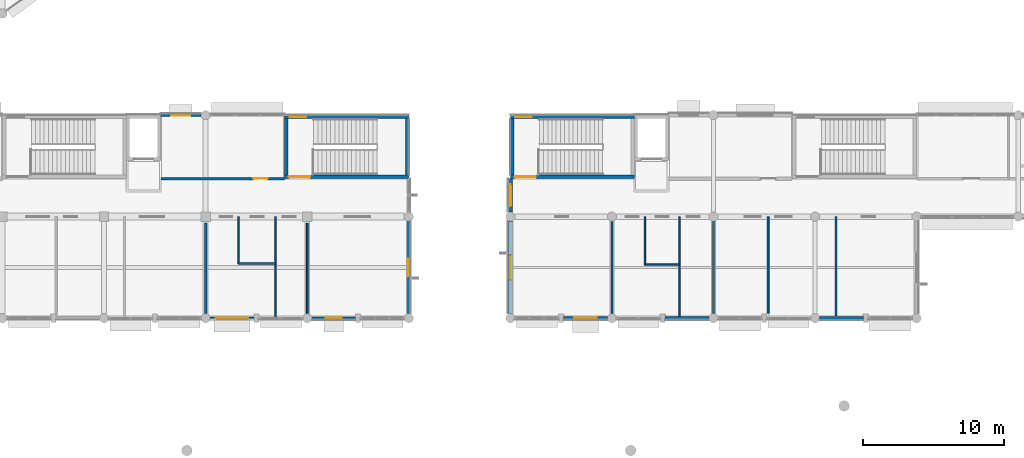
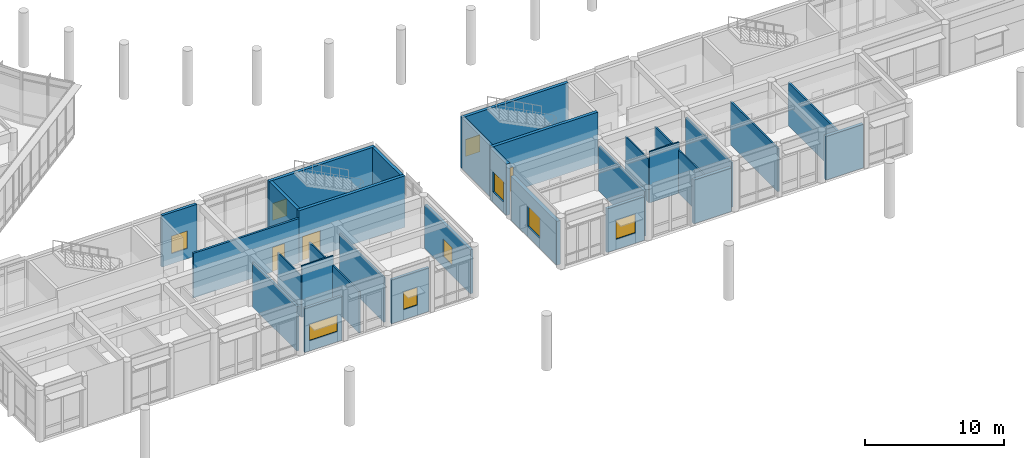
# One storey, part 47 of 92: 29 walls, 9 windows, 3 doors, 12 openings.
"""IFC4 building model written with IfcOpenShell, lengths in metres."""

from ifc_helpers import new_model, si_unit, direction, frame, frame_2d, origin, place, context, subcontext, project, spatial, rectangle, extrude, material, layer, layer_set, type_object, element, fill, save


model = new_model("IFC4")

# Units and contexts
model_context = context("Model", 3, precision=1e-05, world=origin(), true_north=direction((0.0, 1.0)))
body_context = subcontext(model_context, "Body", "Model", "MODEL_VIEW")
ifc_project = project(units=[si_unit("LENGTHUNIT", "METRE"), si_unit("AREAUNIT", "SQUARE_METRE"), si_unit("VOLUMEUNIT", "CUBIC_METRE"), si_unit("PLANEANGLEUNIT", "RADIAN"), si_unit("MASSUNIT", "GRAM", prefix="KILO")], contexts=[model_context])

# Site, building, storey
site_placement = place(None, origin())
site = spatial("IfcSite", under=ifc_project, at=site_placement, CompositionType="ELEMENT")
building_placement = place(site_placement, origin())
building = spatial("IfcBuilding", under=site, at=building_placement, Name="Namkhue Oval Health Centre", CompositionType="ELEMENT")
storey_placement = place(building_placement, frame((0.0, 0.0, 4.800048828125)))
storey = spatial("IfcBuildingStorey", under=building, at=storey_placement, Name="L01", CompositionType="ELEMENT", Elevation=4.800048828125)

# Wall, opening, window
ifc_material_1 = material(Name="Autoclaved aerated concrete blockwork M7.5", Category="masonry")
ifc_layer_1 = layer(ifc_material_1, 0.18994140625)
ifc_layer_set_1 = layer_set([ifc_layer_1], Name="Autoclaved aerated concrete blockwork M7.5")
wall_type_1 = type_object("IfcWallType", Name="EXTERIOR ENVELOPE WALL 190", PredefinedType="STANDARD", material=ifc_layer_set_1)
wall_1_placement = place(storey_placement, frame((72.320068359375, 14.39990234375, 0.0), z_axis=(0.0, 0.0, 1.0), x_axis=(1.0, 0.0, 0.0)))
wall_1 = element("IfcWall", 1, at=wall_1_placement, inside=storey, type_object=wall_type_1, Name="Volume V4 L01 Exterior Envelope Wall 98", PredefinedType="STANDARD", context=body_context, shape_type="SweptSolid", body=[
    extrude(rectangle(XDim=3.10888671875, YDim=0.18994140625, at=frame_2d((1.554443359375, 0.0))), origin(), (0.0, 0.0, 1.0), 3.85498046875),
])
opening_1_placement = place(wall_1_placement, frame((0.404541015625, 0.0, 0.89990234375)))
opening_1 = element("IfcOpeningElement", 2, at=opening_1_placement, cuts=wall_1, Name="Opening WN-20", PredefinedType="OPENING", context=body_context, shape_type="SweptSolid", body=[
    extrude(rectangle(XDim=2.300048828125, YDim=1.419921875, at=frame_2d((1.14990234375, 0.7099609375))), frame((0.0, 0.10498046875, 0.0), z_axis=(0.0, -1.0, 0.0), x_axis=(1.0, 0.0, 0.0)), (0.0, 0.0, 1.0), 0.2099609375),
])
ifc_material_2 = material(Name="Thermally broken low-E laminated double glazing", Category="glass")
window_type_1 = type_object("IfcWindowType", Name="EXTERIOR WINDOW 2300X1420", PartitioningType="SINGLE_PANEL", PredefinedType="WINDOW", material=ifc_material_2)
window_1_placement = place(opening_1_placement, origin())
window_1 = element("IfcWindow", 3, at=window_1_placement, inside=storey, type_object=window_type_1, Name="Volume V4 L01 Exterior Window 65", OverallHeight=1.419921875, OverallWidth=2.300048828125, PartitioningType="SINGLE_PANEL", PredefinedType="WINDOW", context=body_context, shape_type="SweptSolid", body=[
    extrude(rectangle(XDim=2.300048828125, YDim=1.419921875, at=frame_2d((1.14990234375, 0.7099609375))), frame((0.0, 0.030029296875, 0.0), z_axis=(0.0, -1.0, 0.0), x_axis=(1.0, 0.0, 0.0)), (0.0, 0.0, 1.0), 0.06005859375),
])
fill(opening_1, window_1)

ifc_layer_2 = layer(ifc_material_1, 0.199951171875)
ifc_layer_set_2 = layer_set([ifc_layer_2], Name="Autoclaved aerated concrete blockwork M7.5")
wall_type_2 = type_object("IfcWallType", Name="EXTERIOR ENVELOPE WALL 200", PredefinedType="STANDARD", material=ifc_layer_set_2)
wall_2_placement = place(storey_placement, frame((79.52001953125, 14.39990234375, 0.0), z_axis=(0.0, 0.0, 1.0), x_axis=(1.0, 0.0, 0.0)))
wall_2 = element("IfcWall", 4, at=wall_2_placement, inside=storey, type_object=wall_type_2, Name="Volume V4 L01 Exterior Envelope Wall 99", PredefinedType="STANDARD", context=body_context, shape_type="SweptSolid", body=[
    extrude(rectangle(XDim=3.10888671875, YDim=0.199951171875, at=frame_2d((1.554443359375, 0.0))), origin(), (0.0, 0.0, 1.0), 3.85498046875),
])
opening_2_placement = place(wall_2_placement, frame((0.9794921875, 0.0, 0.89990234375)))
opening_2 = element("IfcOpeningElement", 5, at=opening_2_placement, cuts=wall_2, Name="Opening WN-21", PredefinedType="OPENING", context=body_context, shape_type="SweptSolid", body=[
    extrude(rectangle(XDim=1.14990234375, YDim=1.5400390625, at=frame_2d((0.574951171875, 0.77001953125))), frame((0.0, 0.10986328125, 0.0), z_axis=(0.0, -1.0, 0.0), x_axis=(1.0, 0.0, 0.0)), (0.0, 0.0, 1.0), 0.219970703125),
])
window_type_2 = type_object("IfcWindowType", Name="EXTERIOR WINDOW 1150X1540", PartitioningType="SINGLE_PANEL", PredefinedType="WINDOW", material=ifc_material_2)
window_2_placement = place(opening_2_placement, origin())
window_2 = element("IfcWindow", 6, at=window_2_placement, inside=storey, type_object=window_type_2, Name="Volume V4 L01 Exterior Window 66", OverallHeight=1.5400390625, OverallWidth=1.14990234375, PartitioningType="SINGLE_PANEL", PredefinedType="WINDOW", context=body_context, shape_type="SweptSolid", body=[
    extrude(rectangle(XDim=1.14990234375, YDim=1.5400390625, at=frame_2d((0.574951171875, 0.77001953125))), frame((0.0, 0.030029296875, 0.0), z_axis=(0.0, -1.0, 0.0), x_axis=(1.0, 0.0, 0.0)), (0.0, 0.0, 1.0), 0.06005859375),
])
fill(opening_2, window_2)

ifc_layer_3 = layer(ifc_material_1, 0.2099609375)
ifc_layer_set_3 = layer_set([ifc_layer_3], Name="Autoclaved aerated concrete blockwork M7.5")
wall_type_3 = type_object("IfcWallType", Name="EXTERIOR ENVELOPE WALL 210", PredefinedType="STANDARD", material=ifc_layer_set_3)
wall_3_placement = place(storey_placement, frame((86.39990234375, 14.719970703125, 0.0), z_axis=(0.0, 0.0, 1.0), x_axis=(0.0, 1.0, 0.0)))
wall_3 = element("IfcWall", 7, at=wall_3_placement, inside=storey, type_object=wall_type_3, Name="Volume V4 L01 Exterior Envelope Wall 100", PredefinedType="STANDARD", context=body_context, shape_type="SweptSolid", body=[
    extrude(rectangle(XDim=6.56005859375, YDim=0.2099609375, at=frame_2d((3.280029296875, 0.0))), origin(), (0.0, 0.0, 1.0), 3.85498046875),
])
opening_3_placement = place(wall_3_placement, frame((2.655029296875, 0.0, 0.89990234375)))
opening_3 = element("IfcOpeningElement", 8, at=opening_3_placement, cuts=wall_3, Name="Opening WN-22", PredefinedType="OPENING", context=body_context, shape_type="SweptSolid", body=[
    extrude(rectangle(XDim=1.25, YDim=1.5400390625, at=frame_2d((0.625, 0.77001953125))), frame((0.0, 0.114990234375, 0.0), z_axis=(0.0, -1.0, 0.0), x_axis=(1.0, 0.0, 0.0)), (0.0, 0.0, 1.0), 0.22998046875),
])
window_type_3 = type_object("IfcWindowType", Name="EXTERIOR WINDOW 1250X1540", PartitioningType="SINGLE_PANEL", PredefinedType="WINDOW", material=ifc_material_2)
window_3_placement = place(opening_3_placement, origin())
window_3 = element("IfcWindow", 9, at=window_3_placement, inside=storey, type_object=window_type_3, Name="Volume V4 L01 Exterior Window 67", OverallHeight=1.5400390625, OverallWidth=1.25, PartitioningType="SINGLE_PANEL", PredefinedType="WINDOW", context=body_context, shape_type="SweptSolid", body=[
    extrude(rectangle(XDim=1.25, YDim=1.5400390625, at=frame_2d((0.625, 0.77001953125))), frame((0.0, 0.030029296875, 0.0), z_axis=(0.0, -1.0, 0.0), x_axis=(1.0, 0.0, 0.0)), (0.0, 0.0, 1.0), 0.06005859375),
])
fill(opening_3, window_3)

ifc_layer_4 = layer(ifc_material_1, 0.219970703125)
ifc_layer_set_4 = layer_set([ifc_layer_4], Name="Autoclaved aerated concrete blockwork M7.5")
wall_type_4 = type_object("IfcWallType", Name="EXTERIOR ENVELOPE WALL 220", PredefinedType="STANDARD", material=ifc_layer_set_4)
wall_4_placement = place(storey_placement, frame((71.679931640625, 28.800048828125, 0.0), z_axis=(0.0, 0.0, 1.0), x_axis=(-1.0, 0.0, 0.0)))
wall_4 = element("IfcWall", 10, at=wall_4_placement, inside=storey, type_object=wall_type_4, Name="Volume V4 L01 Exterior Envelope Wall 101", PredefinedType="STANDARD", context=body_context, shape_type="SweptSolid", body=[
    extrude(rectangle(XDim=2.8779296875, YDim=0.219970703125, at=frame_2d((1.43896484375, 0.0))), origin(), (0.0, 0.0, 1.0), 4.5048828125),
])
opening_4_placement = place(wall_4_placement, frame((0.763916015625, 0.0, 0.89990234375)))
opening_4 = element("IfcOpeningElement", 11, at=opening_4_placement, cuts=wall_4, Name="Opening WN-23", PredefinedType="OPENING", context=body_context, shape_type="SweptSolid", body=[
    extrude(rectangle(XDim=1.35009765625, YDim=1.5400390625, at=frame_2d((0.675048828125, 0.77001953125))), frame((0.0, 0.119873046875, 0.0), z_axis=(0.0, -1.0, 0.0), x_axis=(1.0, 0.0, 0.0)), (0.0, 0.0, 1.0), 0.239990234375),
])
window_type_4 = type_object("IfcWindowType", Name="EXTERIOR WINDOW 1350X1540", PartitioningType="SINGLE_PANEL", PredefinedType="WINDOW", material=ifc_material_2)
window_4_placement = place(opening_4_placement, origin())
window_4 = element("IfcWindow", 12, at=window_4_placement, inside=storey, type_object=window_type_4, Name="Volume V4 L01 Exterior Window 68", OverallHeight=1.5400390625, OverallWidth=1.35009765625, PartitioningType="SINGLE_PANEL", PredefinedType="WINDOW", context=body_context, shape_type="SweptSolid", body=[
    extrude(rectangle(XDim=1.35009765625, YDim=1.5400390625, at=frame_2d((0.675048828125, 0.77001953125))), frame((0.0, 0.030029296875, 0.0), z_axis=(0.0, -1.0, 0.0), x_axis=(1.0, 0.0, 0.0)), (0.0, 0.0, 1.0), 0.06005859375),
])
fill(opening_4, window_4)

ifc_layer_5 = layer(ifc_material_1, 0.22998046875)
ifc_layer_set_5 = layer_set([ifc_layer_5], Name="Autoclaved aerated concrete blockwork M7.5")
wall_type_5 = type_object("IfcWallType", Name="EXTERIOR ENVELOPE WALL 230", PredefinedType="STANDARD", material=ifc_layer_set_5)
wall_5_placement = place(storey_placement, frame((97.37109375, 14.39990234375, 0.0), z_axis=(0.0, 0.0, 1.0), x_axis=(1.0, 0.0, 0.0)))
wall_5 = element("IfcWall", 13, at=wall_5_placement, inside=storey, type_object=wall_type_5, Name="Volume V5 L01 Exterior Envelope Wall 118", PredefinedType="STANDARD", context=body_context, shape_type="SweptSolid", body=[
    extrude(rectangle(XDim=3.10888671875, YDim=0.22998046875, at=frame_2d((1.554443359375, 0.0))), origin(), (0.0, 0.0, 1.0), 3.83984375),
])
opening_5_placement = place(wall_5_placement, frame((0.75439453125, 0.0, 0.89990234375)))
opening_5 = element("IfcOpeningElement", 14, at=opening_5_placement, cuts=wall_5, Name="Opening WN-35", PredefinedType="OPENING", context=body_context, shape_type="SweptSolid", body=[
    extrude(rectangle(XDim=1.60009765625, YDim=1.659912109375, at=frame_2d((0.800048828125, 0.830078125))), frame((0.0, 0.125, 0.0), z_axis=(0.0, -1.0, 0.0), x_axis=(1.0, 0.0, 0.0)), (0.0, 0.0, 1.0), 0.25),
])
window_type_5 = type_object("IfcWindowType", Name="EXTERIOR WINDOW 1600X1660", PartitioningType="SINGLE_PANEL", PredefinedType="WINDOW", material=ifc_material_2)
window_5_placement = place(opening_5_placement, origin())
window_5 = element("IfcWindow", 15, at=window_5_placement, inside=storey, type_object=window_type_5, Name="Volume V5 L01 Exterior Window 80", OverallHeight=1.659912109375, OverallWidth=1.60009765625, PartitioningType="SINGLE_PANEL", PredefinedType="WINDOW", context=body_context, shape_type="SweptSolid", body=[
    extrude(rectangle(XDim=1.60009765625, YDim=1.659912109375, at=frame_2d((0.800048828125, 0.830078125))), frame((0.0, 0.030029296875, 0.0), z_axis=(0.0, -1.0, 0.0), x_axis=(1.0, 0.0, 0.0)), (0.0, 0.0, 1.0), 0.06005859375),
])
fill(opening_5, window_5)

# Walls
ifc_layer_6 = layer(ifc_material_1, 0.239990234375)
ifc_layer_set_6 = layer_set([ifc_layer_6], Name="Autoclaved aerated concrete blockwork M7.5")
wall_type_6 = type_object("IfcWallType", Name="EXTERIOR ENVELOPE WALL 240", PredefinedType="STANDARD", material=ifc_layer_set_6)
wall_6_placement = place(storey_placement, frame((104.571044921875, 14.39990234375, 0.0), z_axis=(0.0, 0.0, 1.0), x_axis=(1.0, 0.0, 0.0)))
element("IfcWall", 16, at=wall_6_placement, inside=storey, type_object=wall_type_6, Name="Volume V5 L01 Exterior Envelope Wall 119", PredefinedType="STANDARD", context=body_context, shape_type="SweptSolid", body=[
    extrude(rectangle(XDim=3.10888671875, YDim=0.239990234375, at=frame_2d((1.554443359375, 0.0))), origin(), (0.0, 0.0, 1.0), 3.83984375),
])
ifc_layer_7 = layer(ifc_material_1, 0.25)
ifc_layer_set_7 = layer_set([ifc_layer_7], Name="Autoclaved aerated concrete blockwork M7.5")
wall_type_7 = type_object("IfcWallType", Name="EXTERIOR ENVELOPE WALL 250", PredefinedType="STANDARD", material=ifc_layer_set_7)
wall_7_placement = place(storey_placement, frame((115.52001953125, 14.39990234375, 0.0), z_axis=(0.0, 0.0, 1.0), x_axis=(1.0, 0.0, 0.0)))
element("IfcWall", 17, at=wall_7_placement, inside=storey, type_object=wall_type_7, Name="Volume V5 L01 Exterior Envelope Wall 120", PredefinedType="STANDARD", context=body_context, shape_type="SweptSolid", body=[
    extrude(rectangle(XDim=3.10888671875, YDim=0.25, at=frame_2d((1.554443359375, 0.0))), origin(), (0.0, 0.0, 1.0), 3.83984375),
])

# Wall, opening, window
ifc_layer_8 = layer(ifc_material_1, 0.300048828125)
ifc_layer_set_8 = layer_set([ifc_layer_8], Name="Autoclaved aerated concrete blockwork M7.5")
wall_type_8 = type_object("IfcWallType", Name="EXTERIOR ENVELOPE WALL 300", PredefinedType="STANDARD", material=ifc_layer_set_8)
wall_8_placement = place(storey_placement, frame((93.60009765625, 24.298095703125, 0.0), z_axis=(0.0, 0.0, 1.0), x_axis=(0.0, -1.0, 0.0)))
wall_8 = element("IfcWall", 18, at=wall_8_placement, inside=storey, type_object=wall_type_8, Name="Volume V5 L01 Exterior Envelope Wall 125", PredefinedType="STANDARD", context=body_context, shape_type="SweptSolid", body=[
    extrude(rectangle(XDim=2.378173828125, YDim=0.300048828125, at=frame_2d((1.18896484375, 0.0))), origin(), (0.0, 0.0, 1.0), 4.489990234375),
])
opening_6_placement = place(wall_8_placement, frame((0.4140625, 0.0, 0.89990234375)))
opening_6 = element("IfcOpeningElement", 19, at=opening_6_placement, cuts=wall_8, Name="Opening WN-42", PredefinedType="OPENING", context=body_context, shape_type="SweptSolid", body=[
    extrude(rectangle(XDim=1.550048828125, YDim=1.780029296875, at=frame_2d((0.77490234375, 0.89013671875))), frame((0.0, 0.159912109375, 0.0), z_axis=(0.0, -1.0, 0.0), x_axis=(1.0, 0.0, 0.0)), (0.0, 0.0, 1.0), 0.320068359375),
])
window_type_6 = type_object("IfcWindowType", Name="EXTERIOR WINDOW 1550X1780", PartitioningType="SINGLE_PANEL", PredefinedType="WINDOW", material=ifc_material_2)
window_6_placement = place(opening_6_placement, origin())
window_6 = element("IfcWindow", 20, at=window_6_placement, inside=storey, type_object=window_type_6, Name="Volume V5 L01 Exterior Window 87", OverallHeight=1.780029296875, OverallWidth=1.550048828125, PartitioningType="SINGLE_PANEL", PredefinedType="WINDOW", context=body_context, shape_type="SweptSolid", body=[
    extrude(rectangle(XDim=1.550048828125, YDim=1.780029296875, at=frame_2d((0.77490234375, 0.89013671875))), frame((0.0, 0.030029296875, 0.0), z_axis=(0.0, -1.0, 0.0), x_axis=(1.0, 0.0, 0.0)), (0.0, 0.0, 1.0), 0.06005859375),
])
fill(opening_6, window_6)

ifc_layer_9 = layer(ifc_material_1, 0.31005859375)
ifc_layer_set_9 = layer_set([ifc_layer_9], Name="Autoclaved aerated concrete blockwork M7.5")
wall_type_9 = type_object("IfcWallType", Name="EXTERIOR ENVELOPE WALL 310", PredefinedType="STANDARD", material=ifc_layer_set_9)
wall_9_placement = place(storey_placement, frame((93.60009765625, 21.280029296875, 0.0), z_axis=(0.0, 0.0, 1.0), x_axis=(0.0, -1.0, 0.0)))
wall_9 = element("IfcWall", 21, at=wall_9_placement, inside=storey, type_object=wall_type_9, Name="Volume V5 L01 Exterior Envelope Wall 126", PredefinedType="STANDARD", context=body_context, shape_type="SweptSolid", body=[
    extrude(rectangle(XDim=6.56005859375, YDim=0.31005859375, at=frame_2d((3.280029296875, 0.0))), origin(), (0.0, 0.0, 1.0), 3.83984375),
])
opening_7_placement = place(wall_9_placement, frame((2.405029296875, 0.0, 0.89990234375)))
opening_7 = element("IfcOpeningElement", 22, at=opening_7_placement, cuts=wall_9, Name="Opening WN-43", PredefinedType="OPENING", context=body_context, shape_type="SweptSolid", body=[
    extrude(rectangle(XDim=1.75, YDim=1.780029296875, at=frame_2d((0.875, 0.89013671875))), frame((0.0, 0.1650390625, 0.0), z_axis=(0.0, -1.0, 0.0), x_axis=(1.0, 0.0, 0.0)), (0.0, 0.0, 1.0), 0.330078125),
])
window_type_7 = type_object("IfcWindowType", Name="EXTERIOR WINDOW 1750X1780", PartitioningType="SINGLE_PANEL", PredefinedType="WINDOW", material=ifc_material_2)
window_7_placement = place(opening_7_placement, origin())
window_7 = element("IfcWindow", 23, at=window_7_placement, inside=storey, type_object=window_type_7, Name="Volume V5 L01 Exterior Window 88", OverallHeight=1.780029296875, OverallWidth=1.75, PartitioningType="SINGLE_PANEL", PredefinedType="WINDOW", context=body_context, shape_type="SweptSolid", body=[
    extrude(rectangle(XDim=1.75, YDim=1.780029296875, at=frame_2d((0.875, 0.89013671875))), frame((0.0, 0.030029296875, 0.0), z_axis=(0.0, -1.0, 0.0), x_axis=(1.0, 0.0, 0.0)), (0.0, 0.0, 1.0), 0.06005859375),
])
fill(opening_7, window_7)

# Wall, opening, door
ifc_material_3 = material(Name="Gypsum plasterboard acoustic partition", Category="gypsum")
ifc_layer_10 = layer(ifc_material_3, 0.169921875)
ifc_layer_set_10 = layer_set([ifc_layer_10], Name="Gypsum plasterboard acoustic partition")
wall_type_10 = type_object("IfcWallType", Name="FIRE PARTITION WALL 170", PredefinedType="PARTITIONING", material=ifc_layer_set_10)
wall_10_placement = place(storey_placement, frame((68.820068359375, 24.300048828125, 0.0), z_axis=(0.0, 0.0, 1.0), x_axis=(1.0, 0.0, 0.0)))
wall_10 = element("IfcWall", 24, at=wall_10_placement, inside=storey, type_object=wall_type_10, Name="Volume V4 L01 Clinical Partition Wall 183", PredefinedType="PARTITIONING", context=body_context, shape_type="SweptSolid", body=[
    extrude(rectangle(XDim=8.760009765625, YDim=0.169921875, at=frame_2d((4.3798828125, 0.0))), origin(), (0.0, 0.0, 1.0), 3.905029296875),
])
opening_8_placement = place(wall_10_placement, frame((6.56494140625, 0.0, 0.0)))
opening_8 = element("IfcOpeningElement", 25, at=opening_8_placement, cuts=wall_10, Name="Opening CD-09", PredefinedType="OPENING", context=body_context, shape_type="SweptSolid", body=[
    extrude(rectangle(XDim=1.0, YDim=2.1298828125, at=frame_2d((0.5, 1.06494140625))), frame((0.0, 0.094970703125, 0.0), z_axis=(0.0, -1.0, 0.0), x_axis=(1.0, 0.0, 0.0)), (0.0, 0.0, 1.0), 0.18994140625),
])
ifc_material_4 = material(Name="High-pressure laminate timber clinical door", Category="wood")
door_type_1 = type_object("IfcDoorType", Name="CLINICAL DOOR 1000X2130", OperationType="NOTDEFINED", PredefinedType="DOOR", material=ifc_material_4)
door_1_placement = place(opening_8_placement, origin())
door_1 = element("IfcDoor", 26, at=door_1_placement, inside=storey, type_object=door_type_1, Name="Volume V4 L01 Blood Draw Phlebotomy Bay Door 157", OperationType="SINGLE_SWING_LEFT", OverallHeight=2.1298828125, OverallWidth=1.0, PredefinedType="DOOR", context=body_context, shape_type="SweptSolid", body=[
    extrude(rectangle(XDim=1.0, YDim=2.1298828125, at=frame_2d((0.5, 1.06494140625))), frame((0.0, 0.02490234375, 0.0), z_axis=(0.0, -1.0, 0.0), x_axis=(1.0, 0.0, 0.0)), (0.0, 0.0, 1.0), 0.050048828125),
])
fill(opening_8, door_1)

# Walls
ifc_layer_11 = layer(ifc_material_3, 0.10009765625)
ifc_layer_set_11 = layer_set([ifc_layer_11], Name="Gypsum plasterboard acoustic partition")
wall_type_11 = type_object("IfcWallType", Name="INTERIOR PARTITION WALL 100", PredefinedType="PARTITIONING", material=ifc_layer_set_11)
wall_11_placement = place(storey_placement, frame((74.340087890625, 18.280029296875, 0.0), z_axis=(0.0, 0.0, 1.0), x_axis=(0.0, 1.0, 0.0)))
element("IfcWall", 27, at=wall_11_placement, inside=storey, type_object=wall_type_11, Name="Volume V4 L01 Clinical Partition Wall 176", PredefinedType="PARTITIONING", context=body_context, shape_type="SweptSolid", body=[
    extrude(rectangle(XDim=3.320068359375, YDim=0.10009765625, at=frame_2d((1.66015625, 0.0))), origin(), (0.0, 0.0, 1.0), 3.655029296875),
])
wall_12_placement = place(storey_placement, frame((103.139892578125, 18.199951171875, 0.0), z_axis=(0.0, 0.0, 1.0), x_axis=(0.0, 1.0, 0.0)))
element("IfcWall", 28, at=wall_12_placement, inside=storey, type_object=wall_type_11, Name="Volume V5 L01 Clinical Partition Wall 218", PredefinedType="PARTITIONING", context=body_context, shape_type="SweptSolid", body=[
    extrude(rectangle(XDim=3.400146484375, YDim=0.10009765625, at=frame_2d((1.7001953125, 0.0))), origin(), (0.0, 0.0, 1.0), 3.7900390625),
])
ifc_layer_12 = layer(ifc_material_3, 0.110107421875)
ifc_layer_set_12 = layer_set([ifc_layer_12], Name="Gypsum plasterboard acoustic partition")
wall_type_12 = type_object("IfcWallType", Name="INTERIOR PARTITION WALL 110", PredefinedType="PARTITIONING", material=ifc_layer_set_12)
wall_13_placement = place(storey_placement, frame((74.340087890625, 18.280029296875, 0.0), z_axis=(0.0, 0.0, 1.0), x_axis=(1.0, 0.0, 0.0)))
element("IfcWall", 29, at=wall_13_placement, inside=storey, type_object=wall_type_12, Name="Volume V4 L01 Clinical Partition Wall 177", PredefinedType="PARTITIONING", context=body_context, shape_type="SweptSolid", body=[
    extrude(rectangle(XDim=2.619873046875, YDim=0.110107421875, at=frame_2d((1.31005859375, 0.0))), origin(), (0.0, 0.0, 1.0), 4.5048828125),
])
wall_14_placement = place(storey_placement, frame((103.139892578125, 18.199951171875, 0.0), z_axis=(0.0, 0.0, 1.0), x_axis=(1.0, 0.0, 0.0)))
element("IfcWall", 30, at=wall_14_placement, inside=storey, type_object=wall_type_12, Name="Volume V5 L01 Clinical Partition Wall 219", PredefinedType="PARTITIONING", context=body_context, shape_type="SweptSolid", body=[
    extrude(rectangle(XDim=2.460205078125, YDim=0.110107421875, at=frame_2d((1.22998046875, 0.0))), origin(), (0.0, 0.0, 1.0), 4.489990234375),
])
ifc_layer_13 = layer(ifc_material_3, 0.1201171875)
ifc_layer_set_13 = layer_set([ifc_layer_13], Name="Gypsum plasterboard acoustic partition")
wall_type_13 = type_object("IfcWallType", Name="INTERIOR PARTITION WALL 120", PredefinedType="PARTITIONING", material=ifc_layer_set_13)
wall_15_placement = place(storey_placement, frame((76.9599609375, 14.43994140625, 0.0), z_axis=(0.0, 0.0, 1.0), x_axis=(0.0, 1.0, 0.0)))
element("IfcWall", 31, at=wall_15_placement, inside=storey, type_object=wall_type_13, Name="Volume V4 L01 Clinical Partition Wall 178", PredefinedType="PARTITIONING", context=body_context, shape_type="SweptSolid", body=[
    extrude(rectangle(XDim=7.16015625, YDim=0.1201171875, at=frame_2d((3.580078125, 0.0))), origin(), (0.0, 0.0, 1.0), 3.655029296875),
])
wall_16_placement = place(storey_placement, frame((105.60009765625, 14.5419921875, 0.0), z_axis=(0.0, 0.0, 1.0), x_axis=(0.0, 1.0, 0.0)))
element("IfcWall", 32, at=wall_16_placement, inside=storey, type_object=wall_type_13, Name="Volume V5 L01 Clinical Partition Wall 220", PredefinedType="PARTITIONING", context=body_context, shape_type="SweptSolid", body=[
    extrude(rectangle(XDim=7.05810546875, YDim=0.1201171875, at=frame_2d((3.529052734375, 0.0))), origin(), (0.0, 0.0, 1.0), 3.7900390625),
])
ifc_layer_14 = layer(ifc_material_3, 0.1298828125)
ifc_layer_set_14 = layer_set([ifc_layer_14], Name="Gypsum plasterboard acoustic partition")
wall_type_14 = type_object("IfcWallType", Name="INTERIOR PARTITION WALL 130", PredefinedType="PARTITIONING", material=ifc_layer_set_14)
wall_17_placement = place(storey_placement, frame((79.199951171875, 14.72509765625, 0.0), z_axis=(0.0, 0.0, 1.0), x_axis=(0.0, 1.0, 0.0)))
element("IfcWall", 33, at=wall_17_placement, inside=storey, type_object=wall_type_14, Name="Volume V4 L01 Clinical Partition Wall 179", PredefinedType="PARTITIONING", context=body_context, shape_type="SweptSolid", body=[
    extrude(rectangle(XDim=6.415283203125, YDim=0.1298828125, at=frame_2d((3.20751953125, 0.0))), origin(), (0.0, 0.0, 1.0), 3.905029296875),
])
wall_18_placement = place(storey_placement, frame((108.0, 14.72509765625, 0.0), z_axis=(0.0, 0.0, 1.0), x_axis=(0.0, 1.0, 0.0)))
element("IfcWall", 34, at=wall_18_placement, inside=storey, type_object=wall_type_14, Name="Volume V5 L01 Clinical Partition Wall 221", PredefinedType="PARTITIONING", context=body_context, shape_type="SweptSolid", body=[
    extrude(rectangle(XDim=6.5498046875, YDim=0.1298828125, at=frame_2d((3.27490234375, 0.0))), origin(), (0.0, 0.0, 1.0), 3.93994140625),
])
ifc_layer_15 = layer(ifc_material_3, 0.139892578125)
ifc_layer_set_15 = layer_set([ifc_layer_15], Name="Gypsum plasterboard acoustic partition")
wall_type_15 = type_object("IfcWallType", Name="INTERIOR PARTITION WALL 140", PredefinedType="PARTITIONING", material=ifc_layer_set_15)
wall_19_placement = place(storey_placement, frame((111.8759765625, 14.747314453125, 0.0), z_axis=(0.0, 0.0, 1.0), x_axis=(0.0, 1.0, 0.0)))
element("IfcWall", 35, at=wall_19_placement, inside=storey, type_object=wall_type_15, Name="Volume V5 L01 Clinical Partition Wall 222", PredefinedType="PARTITIONING", context=body_context, shape_type="SweptSolid", body=[
    extrude(rectangle(XDim=6.852783203125, YDim=0.139892578125, at=frame_2d((3.42626953125, 0.0))), origin(), (0.0, 0.0, 1.0), 3.7900390625),
])
ifc_layer_16 = layer(ifc_material_3, 0.14990234375)
ifc_layer_set_16 = layer_set([ifc_layer_16], Name="Gypsum plasterboard acoustic partition")
wall_type_16 = type_object("IfcWallType", Name="INTERIOR PARTITION WALL 150", PredefinedType="PARTITIONING", material=ifc_layer_set_16)
wall_20_placement = place(storey_placement, frame((116.675048828125, 14.547119140625, 0.0), z_axis=(0.0, 0.0, 1.0), x_axis=(0.0, 1.0, 0.0)))
element("IfcWall", 36, at=wall_20_placement, inside=storey, type_object=wall_type_16, Name="Volume V5 L01 Clinical Partition Wall 223", PredefinedType="PARTITIONING", context=body_context, shape_type="SweptSolid", body=[
    extrude(rectangle(XDim=7.052978515625, YDim=0.14990234375, at=frame_2d((3.5263671875, 0.0))), origin(), (0.0, 0.0, 1.0), 3.7900390625),
])
ifc_layer_17 = layer(ifc_material_3, 0.159912109375)
ifc_layer_set_17 = layer_set([ifc_layer_17], Name="Gypsum plasterboard acoustic partition")
wall_type_17 = type_object("IfcWallType", Name="INTERIOR PARTITION WALL 160", PredefinedType="PARTITIONING", material=ifc_layer_set_17)
wall_21_placement = place(storey_placement, frame((72.0, 14.72509765625, 0.0), z_axis=(0.0, 0.0, 1.0), x_axis=(0.0, 1.0, 0.0)))
element("IfcWall", 37, at=wall_21_placement, inside=storey, type_object=wall_type_17, Name="Volume V4 L01 Clinical Partition Wall 175", PredefinedType="PARTITIONING", context=body_context, shape_type="SweptSolid", body=[
    extrude(rectangle(XDim=6.415283203125, YDim=0.159912109375, at=frame_2d((3.20751953125, 0.0))), origin(), (0.0, 0.0, 1.0), 3.905029296875),
])
wall_22_placement = place(storey_placement, frame((100.800048828125, 14.72509765625, 0.0), z_axis=(0.0, 0.0, 1.0), x_axis=(0.0, 1.0, 0.0)))
element("IfcWall", 38, at=wall_22_placement, inside=storey, type_object=wall_type_17, Name="Volume V5 L01 Clinical Partition Wall 217", PredefinedType="PARTITIONING", context=body_context, shape_type="SweptSolid", body=[
    extrude(rectangle(XDim=6.5498046875, YDim=0.159912109375, at=frame_2d((3.27490234375, 0.0))), origin(), (0.0, 0.0, 1.0), 3.93994140625),
])
ifc_material_5 = material(Name="Reinforced concrete C35/45 (TCVN B40)", Category="concrete")
ifc_layer_18 = layer(ifc_material_5, 0.25)
ifc_layer_set_18 = layer_set([ifc_layer_18], Name="Reinforced concrete C35/45 (TCVN B40)")
wall_type_18 = type_object("IfcWallType", Name="SHEAR CORE WALL EXT 250", PredefinedType="SHEAR", material=ifc_layer_set_18)
wall_23_placement = place(storey_placement, frame((86.27490234375, 24.550048828125, 0.0), z_axis=(0.0, 0.0, 1.0), x_axis=(0.0, 1.0, 0.0)))
element("IfcWall", 39, at=wall_23_placement, inside=storey, type_object=wall_type_18, Name="Core SC-08 L01 Shear Wall E", PredefinedType="SHEAR", context=body_context, shape_type="SweptSolid", body=[
    extrude(rectangle(XDim=4.0, YDim=0.25, at=frame_2d((2.0, 0.0))), origin(), (0.0, 0.0, 1.0), 4.5048828125),
])

# Wall, opening, window
wall_24_placement = place(storey_placement, frame((86.39990234375, 28.675048828125, 0.0), z_axis=(0.0, 0.0, 1.0), x_axis=(-1.0, 0.0, 0.0)))
wall_24 = element("IfcWall", 40, at=wall_24_placement, inside=storey, type_object=wall_type_18, Name="Core SC-08 L01 Shear Wall N", PredefinedType="SHEAR", context=body_context, shape_type="SweptSolid", body=[
    extrude(rectangle(XDim=8.7998046875, YDim=0.25, at=frame_2d((4.39990234375, 0.0))), origin(), (0.0, 0.0, 1.0), 4.5048828125),
])
opening_9_placement = place(wall_24_placement, frame((7.27001953125, 0.0, 0.919921875)))
opening_9 = element("IfcOpeningElement", 41, at=opening_9_placement, cuts=wall_24, Name="Opening SWN-01", PredefinedType="OPENING", context=body_context, shape_type="SweptSolid", body=[
    extrude(rectangle(XDim=1.179931640625, YDim=1.47998046875, at=frame_2d((0.58984375, 0.739990234375))), frame((0.0, 0.135009765625, 0.0), z_axis=(0.0, -1.0, 0.0), x_axis=(1.0, 0.0, 0.0)), (0.0, 0.0, 1.0), 0.27001953125),
])
ifc_material_6 = material(Name="Fire-rated insulated safety double glazing", Category="glass")
window_type_8 = type_object("IfcWindowType", Name="EXTERIOR WINDOW STAIRWELL 1180X1480", PartitioningType="SINGLE_PANEL", PredefinedType="WINDOW", material=ifc_material_6)
window_8_placement = place(opening_9_placement, origin())
window_8 = element("IfcWindow", 42, at=window_8_placement, inside=storey, type_object=window_type_8, Name="Stair ST-08 L01 Stairwell Daylight Window", OverallHeight=1.47998046875, OverallWidth=1.179931640625, PartitioningType="SINGLE_PANEL", PredefinedType="WINDOW", context=body_context, shape_type="SweptSolid", body=[
    extrude(rectangle(XDim=1.179931640625, YDim=1.47998046875, at=frame_2d((0.58984375, 0.739990234375))), frame((0.0, 0.030029296875, 0.0), z_axis=(0.0, -1.0, 0.0), x_axis=(1.0, 0.0, 0.0)), (0.0, 0.0, 1.0), 0.06005859375),
])
fill(opening_9, window_8)

wall_25_placement = place(storey_placement, frame((102.39990234375, 28.675048828125, 0.0), z_axis=(0.0, 0.0, 1.0), x_axis=(-1.0, 0.0, 0.0)))
wall_25 = element("IfcWall", 43, at=wall_25_placement, inside=storey, type_object=wall_type_18, Name="Core SC-09 L01 Shear Wall N", PredefinedType="SHEAR", context=body_context, shape_type="SweptSolid", body=[
    extrude(rectangle(XDim=8.7998046875, YDim=0.25, at=frame_2d((4.39990234375, 0.0))), origin(), (0.0, 0.0, 1.0), 4.489990234375),
])
opening_10_placement = place(wall_25_placement, frame((7.27001953125, 0.0, 0.919921875)))
opening_10 = element("IfcOpeningElement", 44, at=opening_10_placement, cuts=wall_25, Name="Opening SWN-01", PredefinedType="OPENING", context=body_context, shape_type="SweptSolid", body=[
    extrude(rectangle(XDim=1.179931640625, YDim=1.47998046875, at=frame_2d((0.58984375, 0.739990234375))), frame((0.0, 0.135009765625, 0.0), z_axis=(0.0, -1.0, 0.0), x_axis=(1.0, 0.0, 0.0)), (0.0, 0.0, 1.0), 0.27001953125),
])
window_9_placement = place(opening_10_placement, origin())
window_9 = element("IfcWindow", 45, at=window_9_placement, inside=storey, type_object=window_type_8, Name="Stair ST-09 L01 Stairwell Daylight Window", OverallHeight=1.47998046875, OverallWidth=1.179931640625, PartitioningType="SINGLE_PANEL", PredefinedType="WINDOW", context=body_context, shape_type="SweptSolid", body=[
    extrude(rectangle(XDim=1.179931640625, YDim=1.47998046875, at=frame_2d((0.58984375, 0.739990234375))), frame((0.0, 0.030029296875, 0.0), z_axis=(0.0, -1.0, 0.0), x_axis=(1.0, 0.0, 0.0)), (0.0, 0.0, 1.0), 0.06005859375),
])
fill(opening_10, window_9)

# Wall
wall_26_placement = place(storey_placement, frame((93.72509765625, 28.550048828125, 0.0), z_axis=(0.0, 0.0, 1.0), x_axis=(0.0, -1.0, 0.0)))
element("IfcWall", 46, at=wall_26_placement, inside=storey, type_object=wall_type_18, Name="Core SC-09 L01 Shear Wall W", PredefinedType="SHEAR", context=body_context, shape_type="SweptSolid", body=[
    extrude(rectangle(XDim=4.0, YDim=0.25, at=frame_2d((2.0, 0.0))), origin(), (0.0, 0.0, 1.0), 4.489990234375),
])

# Wall, opening, door
ifc_layer_19 = layer(ifc_material_5, 0.25)
ifc_layer_set_19 = layer_set([ifc_layer_19], Name="Reinforced concrete C35/45 (TCVN B40)")
wall_type_19 = type_object("IfcWallType", Name="SHEAR CORE WALL INT 250", PredefinedType="SHEAR", material=ifc_layer_set_19)
wall_27_placement = place(storey_placement, frame((77.60009765625, 24.425048828125, 0.0), z_axis=(0.0, 0.0, 1.0), x_axis=(1.0, 0.0, 0.0)))
wall_27 = element("IfcWall", 47, at=wall_27_placement, inside=storey, type_object=wall_type_19, Name="Core SC-08 L01 Shear Wall S", PredefinedType="SHEAR", context=body_context, shape_type="SweptSolid", body=[
    extrude(rectangle(XDim=8.7998046875, YDim=0.25, at=frame_2d((4.39990234375, 0.0))), origin(), (0.0, 0.0, 1.0), 4.5048828125),
])
opening_11_placement = place(wall_27_placement, frame((0.300048828125, 0.0, 0.0)))
opening_11 = element("IfcOpeningElement", 48, at=opening_11_placement, cuts=wall_27, Name="Opening SD-I1", PredefinedType="OPENING", context=body_context, shape_type="SweptSolid", body=[
    extrude(rectangle(XDim=1.5, YDim=2.14990234375, at=frame_2d((0.75, 1.074951171875))), frame((0.0, 0.135009765625, 0.0), z_axis=(0.0, -1.0, 0.0), x_axis=(1.0, 0.0, 0.0)), (0.0, 0.0, 1.0), 0.27001953125),
])
ifc_material_7 = material(Name="Powder-coated steel fire door assembly", Category="steel")
door_type_2 = type_object("IfcDoorType", Name="CLINICAL DOOR STAIR CORE 1500X2150", OperationType="DOUBLE_DOOR_SINGLE_SWING", PredefinedType="DOOR", material=ifc_material_7)
door_2_placement = place(opening_11_placement, origin())
door_2 = element("IfcDoor", 49, at=door_2_placement, inside=storey, type_object=door_type_2, Name="Stair ST-08 L01 Stair Enclosure Fire Door", OperationType="DOUBLE_DOOR_SINGLE_SWING", OverallHeight=2.14990234375, OverallWidth=1.5, PredefinedType="DOOR", context=body_context, shape_type="SweptSolid", body=[
    extrude(rectangle(XDim=1.5, YDim=2.14990234375, at=frame_2d((0.75, 1.074951171875))), frame((0.0, 0.02490234375, 0.0), z_axis=(0.0, -1.0, 0.0), x_axis=(1.0, 0.0, 0.0)), (0.0, 0.0, 1.0), 0.050048828125),
])
fill(opening_11, door_2)

# Wall
wall_28_placement = place(storey_placement, frame((77.72509765625, 28.550048828125, 0.0), z_axis=(0.0, 0.0, 1.0), x_axis=(0.0, -1.0, 0.0)))
element("IfcWall", 50, at=wall_28_placement, inside=storey, type_object=wall_type_19, Name="Core SC-08 L01 Shear Wall W", PredefinedType="SHEAR", context=body_context, shape_type="SweptSolid", body=[
    extrude(rectangle(XDim=4.0, YDim=0.25, at=frame_2d((2.0, 0.0))), origin(), (0.0, 0.0, 1.0), 4.5048828125),
])

# Wall, opening, door
wall_29_placement = place(storey_placement, frame((93.60009765625, 24.425048828125, 0.0), z_axis=(0.0, 0.0, 1.0), x_axis=(1.0, 0.0, 0.0)))
wall_29 = element("IfcWall", 51, at=wall_29_placement, inside=storey, type_object=wall_type_19, Name="Core SC-09 L01 Shear Wall S", PredefinedType="SHEAR", context=body_context, shape_type="SweptSolid", body=[
    extrude(rectangle(XDim=8.7998046875, YDim=0.25, at=frame_2d((4.39990234375, 0.0))), origin(), (0.0, 0.0, 1.0), 4.489990234375),
])
opening_12_placement = place(wall_29_placement, frame((0.300048828125, 0.0, 0.0)))
opening_12 = element("IfcOpeningElement", 52, at=opening_12_placement, cuts=wall_29, Name="Opening SD-I1", PredefinedType="OPENING", context=body_context, shape_type="SweptSolid", body=[
    extrude(rectangle(XDim=1.5, YDim=2.14990234375, at=frame_2d((0.75, 1.074951171875))), frame((0.0, 0.135009765625, 0.0), z_axis=(0.0, -1.0, 0.0), x_axis=(1.0, 0.0, 0.0)), (0.0, 0.0, 1.0), 0.27001953125),
])
door_3_placement = place(opening_12_placement, origin())
door_3 = element("IfcDoor", 53, at=door_3_placement, inside=storey, type_object=door_type_2, Name="Stair ST-09 L01 Stair Enclosure Fire Door", OperationType="DOUBLE_DOOR_SINGLE_SWING", OverallHeight=2.14990234375, OverallWidth=1.5, PredefinedType="DOOR", context=body_context, shape_type="SweptSolid", body=[
    extrude(rectangle(XDim=1.5, YDim=2.14990234375, at=frame_2d((0.75, 1.074951171875))), frame((0.0, 0.02490234375, 0.0), z_axis=(0.0, -1.0, 0.0), x_axis=(1.0, 0.0, 0.0)), (0.0, 0.0, 1.0), 0.050048828125),
])
fill(opening_12, door_3)

save(model, "model.ifc")
